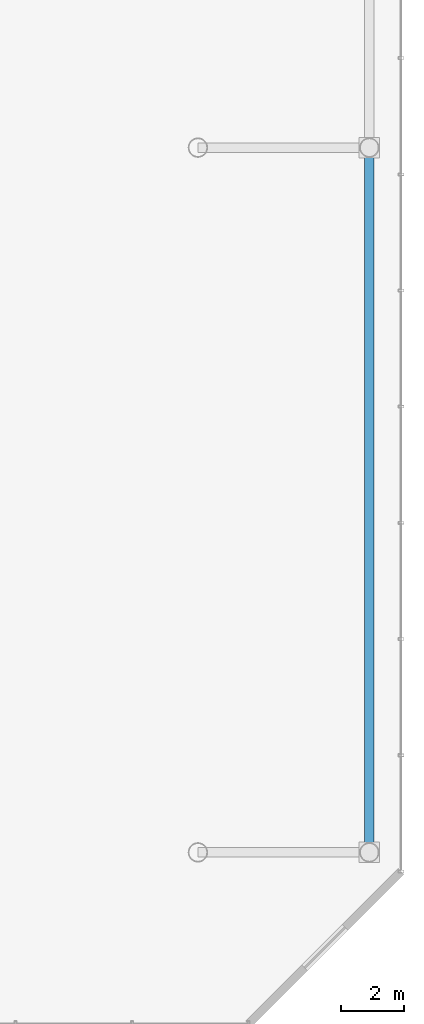
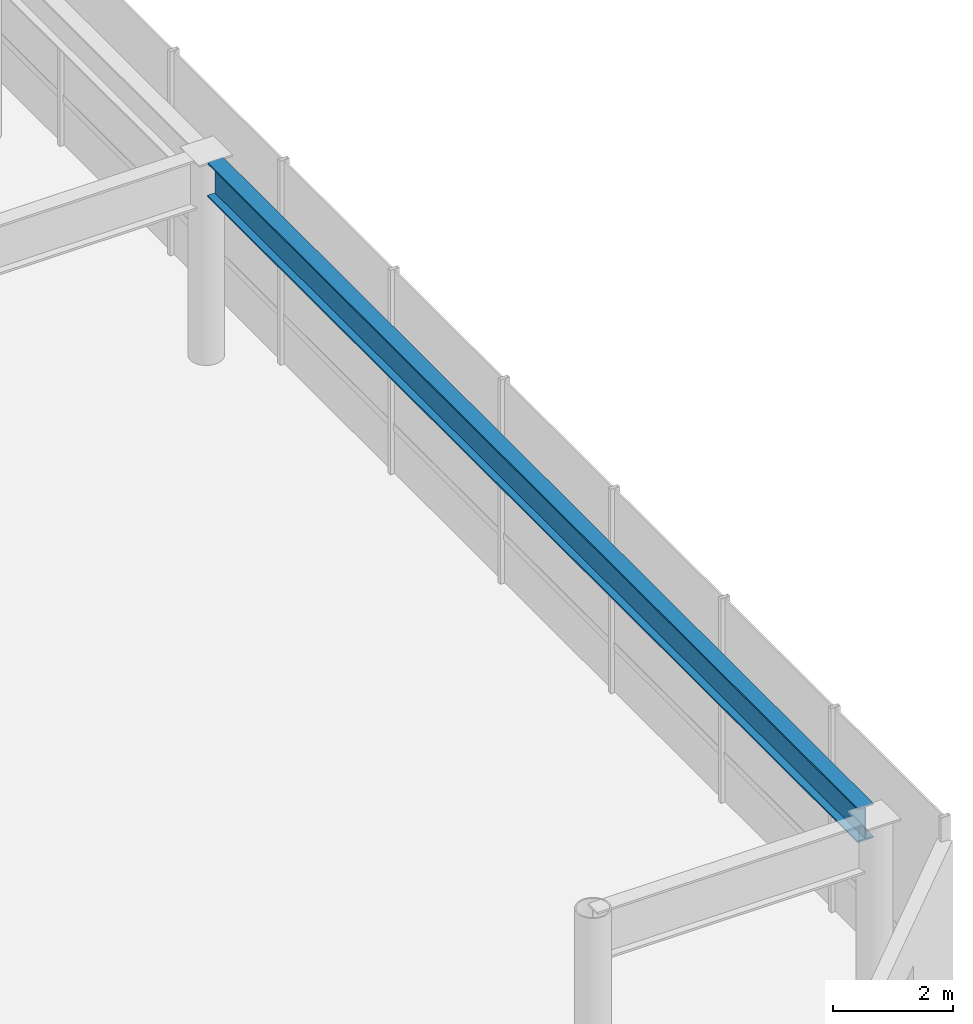
# One storey, part 27 of 37: 1 beam.
"""IFC4 building model written with IfcOpenShell, lengths in metres."""

import ifcopenshell
import ifcopenshell.guid

model = None  # the IFC model being written
_history = None  # IfcOwnerHistory: only IFC2X3 demands one
_inside = {}  # id of a spatial element -> (the spatial element, [elements in it])
_under = {}  # id of a project, library or spatial element -> (it, [spatial elements below it])
_declared = {}  # id of a project -> (the project, [libraries it declares])
_typed = {}  # id of a type object -> (the type object, [elements of that type])
_made_of = {}  # id of a material, layer set ... -> (it, [elements and type objects made of it])


def new_model(schema):
    """Start an empty IFC model of exactly this schema.

    Asked for "IFC4X3", IfcOpenShell would pick the latest addendum, in which some entities
    have other attributes; the version numbers below select the first issue.
    IFC2X3 requires an IfcOwnerHistory on every rooted entity: one is made here for all.
    """
    global model, _history
    if schema == "IFC4X3":
        model = ifcopenshell.file(schema_version=(4, 3, 0, 0))
    else:
        model = ifcopenshell.file(schema=schema)
    _inside.clear()
    _under.clear()
    _declared.clear()
    _typed.clear()
    _made_of.clear()
    _history = None
    if model.schema == "IFC2X3":
        org = make("IfcOrganization", Name="unknown")
        user = make(
            "IfcPersonAndOrganization",
            ThePerson=make("IfcPerson", FamilyName="unknown"),
            TheOrganization=org,
        )
        app = make(
            "IfcApplication",
            ApplicationDeveloper=org,
            Version="unknown",
            ApplicationFullName="unknown",
            ApplicationIdentifier="unknown",
        )
        _history = make(
            "IfcOwnerHistory",
            OwningUser=user,
            OwningApplication=app,
            ChangeAction="ADDED",
            CreationDate=0,
        )
    return model


def make(cls, **values):
    """One entity of the class cls with the attributes given. An attribute that is None is left unset."""
    return model.create_entity(
        cls, **{name: value for name, value in values.items() if value is not None}
    )


def rooted(cls, **values):
    """An entity with a GlobalId (a new one), such as an element, a storey or a relation."""
    return make(cls, GlobalId=ifcopenshell.guid.new(), OwnerHistory=_history, **values)


def si_unit(unit_type, name, prefix=None):
    """IfcSIUnit, for example si_unit("LENGTHUNIT", "METRE", prefix="MILLI")."""
    return make("IfcSIUnit", UnitType=unit_type, Prefix=prefix, Name=name)


def assignment(units):
    """IfcUnitAssignment: the units of a project."""
    return None if units is None else make("IfcUnitAssignment", Units=units)


def point(xyz):
    """IfcCartesianPoint."""
    return None if xyz is None else make("IfcCartesianPoint", Coordinates=xyz)


def direction(xyz):
    """IfcDirection."""
    return None if xyz is None else make("IfcDirection", DirectionRatios=xyz)


def frame(location, z_axis=None, x_axis=None):
    """IfcAxis2Placement3D, a coordinate frame: its origin and axes. An axis left out is left unset."""
    return make(
        "IfcAxis2Placement3D",
        Location=point(location),
        Axis=direction(z_axis),
        RefDirection=direction(x_axis),
    )


def frame_2d(location, x_axis=None):
    """IfcAxis2Placement2D, a coordinate frame in the plane: its origin and x axis."""
    return make(
        "IfcAxis2Placement2D", Location=point(location), RefDirection=direction(x_axis)
    )


def origin():
    """The frame at (0, 0, 0) with its axes left unset."""
    return frame((0.0, 0.0, 0.0))


def origin_2d():
    """The frame at (0, 0) in the plane with its x axis left unset."""
    return frame_2d((0.0, 0.0))


def place(relative_to, where):
    """IfcLocalPlacement: puts the frame where relative to a parent placement (None: the world)."""
    return make(
        "IfcLocalPlacement", PlacementRelTo=relative_to, RelativePlacement=where
    )


def context(
    kind, dimensions, precision=None, world=None, true_north=None, identifier=None
):
    """IfcGeometricRepresentationContext, for example the 3D "Model" context."""
    return make(
        "IfcGeometricRepresentationContext",
        ContextIdentifier=identifier,
        ContextType=kind,
        CoordinateSpaceDimension=dimensions,
        Precision=precision,
        WorldCoordinateSystem=world,
        TrueNorth=true_north,
    )


def subcontext(parent, identifier, kind, view, scale=None):
    """IfcGeometricRepresentationSubContext, for example "Body" below "Model"."""
    return make(
        "IfcGeometricRepresentationSubContext",
        ContextIdentifier=identifier,
        ContextType=kind,
        ParentContext=parent,
        TargetScale=scale,
        TargetView=view,
    )


def project(units=None, contexts=None):
    """IfcProject with its units and contexts."""
    return rooted(
        "IfcProject",
        Name="project",
        RepresentationContexts=contexts,
        UnitsInContext=assignment(units),
    )


def spatial(cls, under=None, at=None, **own):
    """A site, building, storey or space (cls), placed at a placement, below another one or the project."""
    s = rooted(cls, ObjectPlacement=at, **own)
    if under is not None:
        _under.setdefault(under.id(), (under, []))[1].append(s)
    return s


def profile(cls, at=None, kind="AREA", **sizes):
    """A parametric profile (cls). Its sizes go by their IFC names, for example OverallWidth=200.0."""
    return make(cls, ProfileType=kind, Position=at, **sizes)


def i_section(**sizes):
    """IfcIShapeProfileDef."""
    return profile("IfcIShapeProfileDef", **sizes)


def extrude(swept, where, along, depth):
    """IfcExtrudedAreaSolid: the profile swept, set in the frame where, extruded along a direction by depth."""
    return make(
        "IfcExtrudedAreaSolid",
        SweptArea=swept,
        Position=where,
        ExtrudedDirection=direction(along),
        Depth=depth,
    )


def shape(context_of_items, identifier, shape_type, items):
    """IfcShapeRepresentation: the items that make up one representation, for example the "Body"."""
    return make(
        "IfcShapeRepresentation",
        ContextOfItems=context_of_items,
        RepresentationIdentifier=identifier,
        RepresentationType=shape_type,
        Items=items,
    )


def material(Name=None, Category=None):
    """IfcMaterial."""
    return make("IfcMaterial", Name=Name, Category=Category)


def material_profile(
    of_material, cross_section, Name=None, Category=None, Priority=None
):
    """IfcMaterialProfile: a cross section and its material."""
    return make(
        "IfcMaterialProfile",
        Name=Name,
        Material=of_material,
        Profile=cross_section,
        Priority=Priority,
        Category=Category,
    )


def profile_set(profiles, Name=None, composite=None):
    """IfcMaterialProfileSet."""
    return make(
        "IfcMaterialProfileSet",
        Name=Name,
        MaterialProfiles=profiles,
        CompositeProfile=composite,
    )


def made_of(thing, what):
    """Note that an element or type object is made of a material, layer set ...; save() writes the relation."""
    if what is not None:
        _made_of.setdefault(what.id(), (what, []))[1].append(thing)
    return thing


def type_object(cls, material=None, **own):
    """A type object (cls), such as IfcWallType, which elements share."""
    return made_of(rooted(cls, **own), material)


def element(
    cls,
    number,
    at=None,
    inside=None,
    cuts=None,
    type_object=None,
    material=None,
    context=None,
    identifier="Body",
    shape_type=None,
    held_by="IfcProductDefinitionShape",
    body=None,
    shapes=None,
    **own,
):
    """One element of the class cls, such as IfcWall. Its Tag is "e" and its number.

    at: its placement. inside: the storey or other place that contains it. cuts: it is an
    opening in that element (IfcRelVoidsElement). A single representation is given by context,
    identifier, shape_type and body (its items); several are given by shapes. held_by: the class
    of the entity that holds the representations. save() writes the other relations.
    """
    e = rooted(cls, Tag="e%d" % number, ObjectPlacement=at, **own)
    if body is not None:
        shapes = [shape(context, identifier, shape_type, body)]
    if shapes is not None:
        e.Representation = make(held_by, Representations=shapes)
    if inside is not None:
        _inside.setdefault(inside.id(), (inside, []))[1].append(e)
    if cuts is not None:
        rooted(
            "IfcRelVoidsElement", RelatingBuildingElement=cuts, RelatedOpeningElement=e
        )
    if type_object is not None:
        _typed.setdefault(type_object.id(), (type_object, []))[1].append(e)
    return made_of(e, material)


def aggregate(whole, parts):
    """IfcRelAggregates: a whole, such as a stair, and the parts it consists of."""
    return rooted("IfcRelAggregates", RelatingObject=whole, RelatedObjects=parts)


def save(model, path):
    """Write the relations noted so far, then the file.

    IfcRelAggregates (storeys below a building ...), IfcRelContainedInSpatialStructure (elements
    in a storey), IfcRelDefinesByType, IfcRelAssociatesMaterial and IfcRelDeclares: one each for
    every whole, place, type object, material and project.
    """
    for whole, parts in _under.values():
        aggregate(whole, parts)
    for where, things in _inside.values():
        rooted(
            "IfcRelContainedInSpatialStructure",
            RelatedElements=things,
            RelatingStructure=where,
        )
    for kind, things in _typed.values():
        rooted("IfcRelDefinesByType", RelatedObjects=things, RelatingType=kind)
    for what, things in _made_of.values():
        rooted("IfcRelAssociatesMaterial", RelatedObjects=things, RelatingMaterial=what)
    for by, libraries in _declared.values():
        rooted("IfcRelDeclares", RelatingContext=by, RelatedDefinitions=libraries)
    model.write(path)


model = new_model("IFC4")

# Units and contexts
model_context = context("Model", 3, precision=1e-05, world=origin(), true_north=direction((0.0, 1.0)))
body_context = subcontext(model_context, "Body", "Model", "MODEL_VIEW")
ifc_project = project(units=[si_unit("LENGTHUNIT", "METRE"), si_unit("AREAUNIT", "SQUARE_METRE"), si_unit("VOLUMEUNIT", "CUBIC_METRE"), si_unit("PLANEANGLEUNIT", "RADIAN"), si_unit("MASSUNIT", "GRAM", prefix="KILO")], contexts=[model_context])

# Site, building, storey
site_placement = place(None, origin())
site = spatial("IfcSite", under=ifc_project, at=site_placement, CompositionType="ELEMENT")
building_placement = place(site_placement, origin())
building = spatial("IfcBuilding", under=site, at=building_placement, Name="Zarrinselat Tower", CompositionType="ELEMENT")
storey_placement = place(building_placement, frame((0.0, 0.0, 13.93994140625)))
storey = spatial("IfcBuildingStorey", under=building, at=storey_placement, Name="L03", CompositionType="ELEMENT", Elevation=13.93994140625)

# Beam
ifc_material = material(Name="Steel S355J2", Category="steel")
ifc_material_profile = material_profile(ifc_material, i_section(OverallWidth=0.300048828125, OverallDepth=0.699951171875, WebThickness=0.01708984375, FlangeThickness=0.031982421875, at=origin_2d()), Name="HEB 700")
ifc_profile_set = profile_set([ifc_material_profile], Name="Steel S355J2")
beam_type = type_object("IfcBeamType", Name="BM-HEB700", PredefinedType="SPANDREL", material=ifc_profile_set)
beam_placement = place(storey_placement, frame((73.39990234375, 11.300048828125, 3.7900390625), z_axis=(0.0, 1.0, 0.0), x_axis=(-1.0, 0.0, 0.0)))
element("IfcBeam", 1, at=beam_placement, inside=storey, type_object=beam_type, Name="L03 Podium Perimeter Beam E-11", PredefinedType="SPANDREL", context=body_context, shape_type="SweptSolid", body=[
    extrude(i_section(OverallWidth=0.300048828125, OverallDepth=0.699951171875, WebThickness=0.01708984375, FlangeThickness=0.031982421875, at=origin_2d()), origin(), (0.0, 0.0, 1.0), 21.599853515625),
])

save(model, "model.ifc")
